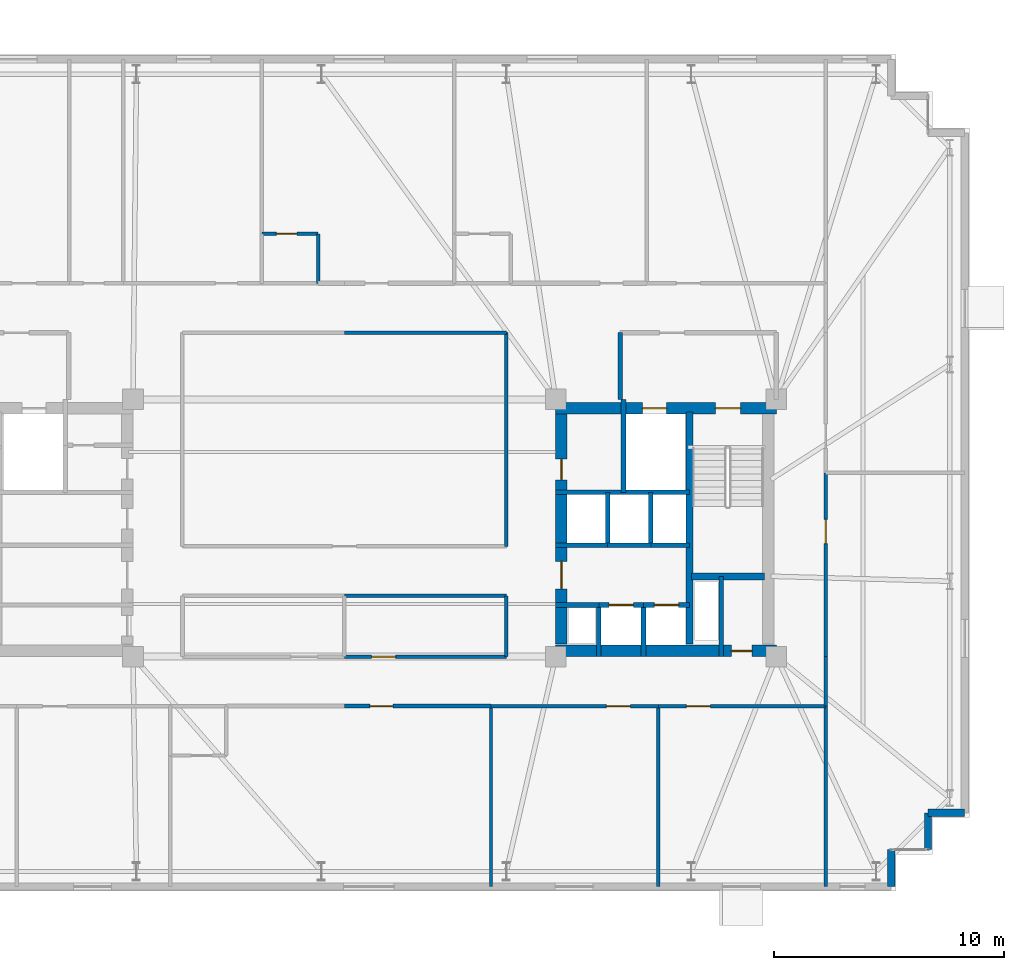
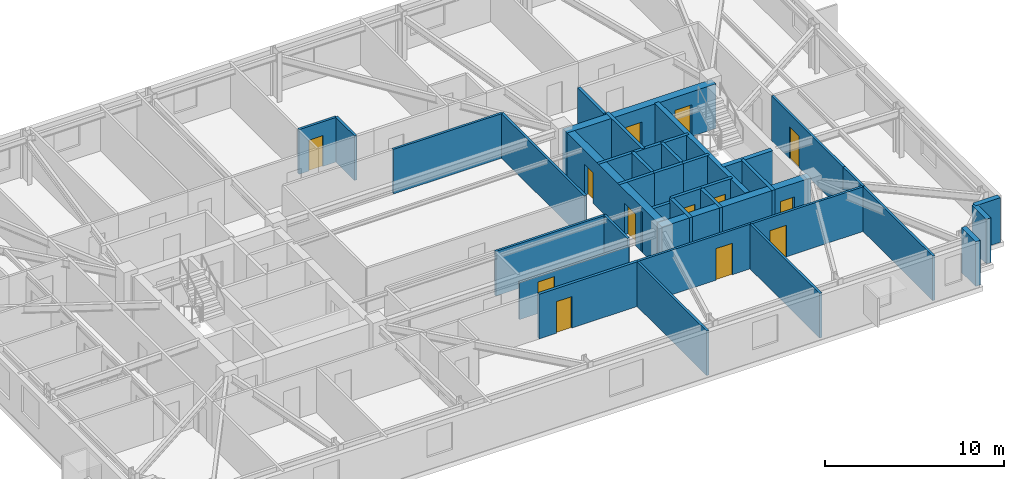
# One storey, part 13 of 17: 37 walls, 13 doors, 13 openings.
"""IFC4 building model written with IfcOpenShell, lengths in metres."""

from ifc_helpers import new_model, si_unit, direction, frame, frame_2d, origin, place, context, subcontext, project, spatial, rectangle, extrude, material, layer, layer_set, type_object, element, fill, save


model = new_model("IFC4")

# Units and contexts
model_context = context("Model", 3, precision=1e-05, world=origin(), true_north=direction((0.0, 1.0)))
body_context = subcontext(model_context, "Body", "Model", "MODEL_VIEW")
ifc_project = project(units=[si_unit("LENGTHUNIT", "METRE"), si_unit("AREAUNIT", "SQUARE_METRE"), si_unit("VOLUMEUNIT", "CUBIC_METRE"), si_unit("PLANEANGLEUNIT", "RADIAN"), si_unit("MASSUNIT", "GRAM", prefix="KILO")], contexts=[model_context])

# Site, building, storey
site_placement = place(None, origin())
site = spatial("IfcSite", under=ifc_project, at=site_placement, CompositionType="ELEMENT")
building_placement = place(site_placement, origin())
building = spatial("IfcBuilding", under=site, at=building_placement, Name="Qobustan Lattice House", CompositionType="ELEMENT")
storey_placement = place(building_placement, frame((0.0, 0.0, 164.5)))
storey = spatial("IfcBuildingStorey", under=building, at=storey_placement, Name="L46", CompositionType="ELEMENT", Elevation=164.5)

# Wall, openings, doors
ifc_material_1 = material(Name="Concrete C50/60", Category="concrete")
ifc_layer_1 = layer(ifc_material_1, 0.5)
ifc_layer_set_1 = layer_set([ifc_layer_1], Name="Concrete C50/60")
wall_type_1 = type_object("IfcWallType", Name="WAL-CORE-500", PredefinedType="SHEAR", material=ifc_layer_set_1)
wall_1_placement = place(storey_placement, frame((9.199951171875, 5.2099609375, 0.0), z_axis=(0.0, 0.0, 1.0), x_axis=(1.0, 0.0, 0.0)))
wall_1 = element("IfcWall", 1, at=wall_1_placement, inside=storey, type_object=wall_type_1, Name="L46 split-core shear wall CE-N", PredefinedType="SHEAR", context=body_context, shape_type="SweptSolid", body=[
    extrude(rectangle(XDim=9.60009765625, YDim=0.5, at=frame_2d((4.800048828125, 0.0))), origin(), (0.0, 0.0, 1.0), 3.0400390625),
])
opening_1_placement = place(wall_1_placement, frame((6.949951171875, 0.0, 0.0)))
opening_1 = element("IfcOpeningElement", 2, at=opening_1_placement, cuts=wall_1, Name="Opening SD-01", PredefinedType="OPENING", context=body_context, shape_type="SweptSolid", body=[
    extrude(rectangle(XDim=1.10009765625, YDim=2.14990234375, at=frame_2d((0.550048828125, 1.074951171875))), frame((0.0, 0.260009765625, 0.0), z_axis=(0.0, -1.0, 0.0), x_axis=(1.0, 0.0, 0.0)), (0.0, 0.0, 1.0), 0.52001953125),
])
opening_2_placement = place(wall_1_placement, frame((3.77490234375, 0.0, 0.0)))
opening_2 = element("IfcOpeningElement", 3, at=opening_2_placement, cuts=wall_1, Name="Opening LD-01", PredefinedType="OPENING", context=body_context, shape_type="SweptSolid", body=[
    extrude(rectangle(XDim=1.050048828125, YDim=2.10009765625, at=frame_2d((0.52490234375, 1.050048828125))), frame((0.0, 0.260009765625, 0.0), z_axis=(0.0, -1.0, 0.0), x_axis=(1.0, 0.0, 0.0)), (0.0, 0.0, 1.0), 0.52001953125),
])
ifc_material_2 = material(Name="Persian walnut timber and steel frame door", Category="steel")
door_type_1 = type_object("IfcDoorType", Name="DOR-LIFT-LD-1050x2100", OperationType="NOTDEFINED", PredefinedType="DOOR", material=ifc_material_2)
door_1_placement = place(opening_2_placement, origin())
door_1 = element("IfcDoor", 4, at=door_1_placement, inside=storey, type_object=door_type_1, Name="L46 firefighting lift FF-E landing door", OperationType="DOUBLE_DOOR_SLIDING", OverallHeight=2.10009765625, OverallWidth=1.050048828125, PredefinedType="DOOR", context=body_context, shape_type="SweptSolid", body=[
    extrude(rectangle(XDim=1.050048828125, YDim=2.10009765625, at=frame_2d((0.52490234375, 1.050048828125))), frame((0.0, 0.02490234375, 0.0), z_axis=(0.0, -1.0, 0.0), x_axis=(1.0, 0.0, 0.0)), (0.0, 0.0, 1.0), 0.050048828125),
])
fill(opening_2, door_1)
ifc_material_3 = material(Name="Persian walnut timber and steel frame door", Category="steel")
door_type_2 = type_object("IfcDoorType", Name="DOR-STAIR-FD-1100x2150", OperationType="NOTDEFINED", PredefinedType="DOOR", material=ifc_material_3)
door_2_placement = place(opening_1_placement, origin())
door_2 = element("IfcDoor", 5, at=door_2_placement, inside=storey, type_object=door_type_2, Name="L46 exit stair ST-E1 fire door", OperationType="SINGLE_SWING_RIGHT", OverallHeight=2.14990234375, OverallWidth=1.10009765625, PredefinedType="DOOR", context=body_context, shape_type="SweptSolid", body=[
    extrude(rectangle(XDim=1.10009765625, YDim=2.14990234375, at=frame_2d((0.550048828125, 1.074951171875))), frame((0.0, 0.02490234375, 0.0), z_axis=(0.0, -1.0, 0.0), x_axis=(1.0, 0.0, 0.0)), (0.0, 0.0, 1.0), 0.050048828125),
])
fill(opening_1, door_2)

# Wall, opening, door
wall_2_placement = place(storey_placement, frame((9.199951171875, -5.35009765625, 0.0), z_axis=(0.0, 0.0, 1.0), x_axis=(1.0, 0.0, 0.0)))
wall_2 = element("IfcWall", 6, at=wall_2_placement, inside=storey, type_object=wall_type_1, Name="L46 split-core shear wall CE-S", PredefinedType="SHEAR", context=body_context, shape_type="SweptSolid", body=[
    extrude(rectangle(XDim=9.60009765625, YDim=0.5, at=frame_2d((4.800048828125, 0.0))), origin(), (0.0, 0.0, 1.0), 3.0400390625),
])
opening_3_placement = place(wall_2_placement, frame((7.64990234375, 0.0, 0.0)))
opening_3 = element("IfcOpeningElement", 7, at=opening_3_placement, cuts=wall_2, Name="Opening RD-01", PredefinedType="OPENING", context=body_context, shape_type="SweptSolid", body=[
    extrude(rectangle(XDim=0.89990234375, YDim=2.10009765625, at=frame_2d((0.449951171875, 1.050048828125))), frame((0.0, 0.260009765625, 0.0), z_axis=(0.0, -1.0, 0.0), x_axis=(1.0, 0.0, 0.0)), (0.0, 0.0, 1.0), 0.52001953125),
])
ifc_material_4 = material(Name="Persian walnut timber and steel frame door", Category="steel")
door_type_3 = type_object("IfcDoorType", Name="DOR-RISER-FD-900x2100", OperationType="NOTDEFINED", PredefinedType="DOOR", material=ifc_material_4)
door_3_placement = place(opening_3_placement, origin())
door_3 = element("IfcDoor", 8, at=door_3_placement, inside=storey, type_object=door_type_3, Name="L46 core service riser access door E", OperationType="SINGLE_SWING_RIGHT", OverallHeight=2.10009765625, OverallWidth=0.89990234375, PredefinedType="DOOR", context=body_context, shape_type="SweptSolid", body=[
    extrude(rectangle(XDim=0.89990234375, YDim=2.10009765625, at=frame_2d((0.449951171875, 1.050048828125))), frame((0.0, 0.02490234375, 0.0), z_axis=(0.0, -1.0, 0.0), x_axis=(1.0, 0.0, 0.0)), (0.0, 0.0, 1.0), 0.050048828125),
])
fill(opening_3, door_3)

# Wall, openings, doors
wall_3_placement = place(storey_placement, frame((9.449951171875, -5.050048828125, 0.0), z_axis=(0.0, 0.0, 1.0), x_axis=(0.0, 1.0, 0.0)))
wall_3 = element("IfcWall", 9, at=wall_3_placement, inside=storey, type_object=wall_type_1, Name="L46 split-core shear wall CE-W", PredefinedType="SHEAR", context=body_context, shape_type="SweptSolid", body=[
    extrude(rectangle(XDim=10.10009765625, YDim=0.5, at=frame_2d((5.050048828125, 0.0))), origin(), (0.0, 0.0, 1.0), 3.0400390625),
])
opening_4_placement = place(wall_3_placement, frame((7.14990234375, 0.0, 0.0)))
opening_4 = element("IfcOpeningElement", 10, at=opening_4_placement, cuts=wall_3, Name="Opening RD-01", PredefinedType="OPENING", context=body_context, shape_type="SweptSolid", body=[
    extrude(rectangle(XDim=0.89990234375, YDim=2.10009765625, at=frame_2d((0.449951171875, 1.050048828125))), frame((0.0, 0.260009765625, 0.0), z_axis=(0.0, -1.0, 0.0), x_axis=(1.0, 0.0, 0.0)), (0.0, 0.0, 1.0), 0.52001953125),
])
opening_5_placement = place(wall_3_placement, frame((2.39990234375, 0.0, 0.0)))
opening_5 = element("IfcOpeningElement", 11, at=opening_5_placement, cuts=wall_3, Name="Opening FD-01", PredefinedType="OPENING", context=body_context, shape_type="SweptSolid", body=[
    extrude(rectangle(XDim=1.199951171875, YDim=2.14990234375, at=frame_2d((0.60009765625, 1.074951171875))), frame((0.0, 0.260009765625, 0.0), z_axis=(0.0, -1.0, 0.0), x_axis=(1.0, 0.0, 0.0)), (0.0, 0.0, 1.0), 0.52001953125),
])
ifc_material_5 = material(Name="Persian walnut timber and steel frame door", Category="steel")
door_type_4 = type_object("IfcDoorType", Name="DOR-LOBBY-FD-1200x2150", OperationType="NOTDEFINED", PredefinedType="DOOR", material=ifc_material_5)
door_4_placement = place(opening_5_placement, origin())
door_4 = element("IfcDoor", 12, at=door_4_placement, inside=storey, type_object=door_type_4, Name="L46 East passenger lift lobby fire door", OperationType="SINGLE_SWING_LEFT", OverallHeight=2.14990234375, OverallWidth=1.199951171875, PredefinedType="DOOR", context=body_context, shape_type="SweptSolid", body=[
    extrude(rectangle(XDim=1.199951171875, YDim=2.14990234375, at=frame_2d((0.60009765625, 1.074951171875))), frame((0.0, 0.02490234375, 0.0), z_axis=(0.0, -1.0, 0.0), x_axis=(1.0, 0.0, 0.0)), (0.0, 0.0, 1.0), 0.050048828125),
])
fill(opening_5, door_4)
door_5_placement = place(opening_4_placement, origin())
door_5 = element("IfcDoor", 13, at=door_5_placement, inside=storey, type_object=door_type_3, Name="L46 Housekeeping linen store fire door", OperationType="SINGLE_SWING_RIGHT", OverallHeight=2.10009765625, OverallWidth=0.89990234375, PredefinedType="DOOR", context=body_context, shape_type="SweptSolid", body=[
    extrude(rectangle(XDim=0.89990234375, YDim=2.10009765625, at=frame_2d((0.449951171875, 1.050048828125))), frame((0.0, 0.02490234375, 0.0), z_axis=(0.0, -1.0, 0.0), x_axis=(1.0, 0.0, 0.0)), (0.0, 0.0, 1.0), 0.050048828125),
])
fill(opening_4, door_5)

# Walls
ifc_material_6 = material(Name="Concrete C50/60", Category="concrete")
ifc_layer_2 = layer(ifc_material_6, 0.280029296875)
ifc_layer_set_2 = layer_set([ifc_layer_2], Name="Concrete C50/60")
wall_type_2 = type_object("IfcWallType", Name="WAL-CORE-SPINE-280", PredefinedType="SHEAR", material=ifc_layer_set_2)
wall_4_placement = place(storey_placement, frame((15.02001953125, -5.050048828125, 0.0), z_axis=(0.0, 0.0, 1.0), x_axis=(0.0, 1.0, 0.0)))
element("IfcWall", 14, at=wall_4_placement, inside=storey, type_object=wall_type_2, Name="L46 split-core shear wall CE-M", PredefinedType="SHEAR", context=body_context, shape_type="SweptSolid", body=[
    extrude(rectangle(XDim=10.10009765625, YDim=0.300048828125, at=frame_2d((5.050048828125, 0.0))), origin(), (0.0, 0.0, 1.0), 3.0400390625),
])
wall_5_placement = place(storey_placement, frame((15.10009765625, -2.110107421875, 0.0), z_axis=(0.0, 0.0, 1.0), x_axis=(1.0, 0.0, 0.0)))
element("IfcWall", 15, at=wall_5_placement, inside=storey, type_object=wall_type_2, Name="L46 split-core shear wall CE-ST", PredefinedType="SHEAR", context=body_context, shape_type="SweptSolid", body=[
    extrude(rectangle(XDim=3.179931640625, YDim=0.300048828125, at=frame_2d((1.58984375, 0.0))), origin(), (0.0, 0.0, 1.0), 3.0400390625),
])
ifc_material_7 = material(Name="Precast concrete C40/50", Category="concrete")
ifc_layer_3 = layer(ifc_material_7, 0.320068359375)
ifc_layer_set_3 = layer_set([ifc_layer_3], Name="Precast concrete C40/50")
wall_type_3 = type_object("IfcWallType", Name="WAL-EXT-STONE-320", PredefinedType="SOLIDWALL", material=ifc_layer_set_3)
for number, where, z_axis, x_axis, name in (
    (16, (27.0, -12.39990234375, 0.0), (0.0, 0.0, 1.0), (-1.0, 0.0, 0.0), "L46 exterior limestone-clad wall 16"),
    (17, (25.39990234375, -12.39990234375, 0.0), (0.0, 0.0, 1.0), (0.0, -1.0, 0.0), "L46 exterior limestone-clad wall 17"),
    (18, (23.800048828125, -14.0, 0.0), (0.0, 0.0, 1.0), (0.0, -1.0, 0.0), "L46 exterior limestone-clad wall 19"),
):
    element("IfcWall", number, at=place(storey_placement, frame(where, z_axis=z_axis, x_axis=x_axis)), inside=storey, type_object=wall_type_3, Name=name, PredefinedType="SOLIDWALL", context=body_context, shape_type="SweptSolid", body=[
        extrude(rectangle(XDim=1.60009765625, YDim=0.320068359375, at=frame_2d((0.800048828125, 0.0))), origin(), (0.0, 0.0, 1.0), 3.0400390625),
    ])

# Wall, opening, door
ifc_material_8 = material(Name="Gypsum fireboard acoustic partition", Category="gypsum")
ifc_layer_4 = layer(ifc_material_8, 0.179931640625)
ifc_layer_set_4 = layer_set([ifc_layer_4], Name="Gypsum fireboard acoustic partition")
wall_type_4 = type_object("IfcWallType", Name="WAL-FIRE-180", PredefinedType="PARTITIONING", material=ifc_layer_set_4)
wall_6_placement = place(storey_placement, frame((6.383056640625, -7.75, 0.0), z_axis=(0.0, 0.0, 1.0), x_axis=(-1.0, 0.0, 0.0)))
wall_6 = element("IfcWall", 19, at=wall_6_placement, inside=storey, type_object=wall_type_4, Name="L46 interior partition 53", PredefinedType="PARTITIONING", context=body_context, shape_type="SweptSolid", body=[
    extrude(rectangle(XDim=6.383056640625, YDim=0.179931640625, at=frame_2d((3.19140625, 0.0))), origin(), (0.0, 0.0, 1.0), 3.0400390625),
])
opening_6_placement = place(wall_6_placement, frame((4.275146484375, 0.0, 0.0)))
opening_6 = element("IfcOpeningElement", 20, at=opening_6_placement, cuts=wall_6, Name="Opening FD-02", PredefinedType="OPENING", context=body_context, shape_type="SweptSolid", body=[
    extrude(rectangle(XDim=1.0, YDim=2.14990234375, at=frame_2d((0.5, 1.074951171875))), frame((0.0, 0.099853515625, 0.0), z_axis=(0.0, -1.0, 0.0), x_axis=(1.0, 0.0, 0.0)), (0.0, 0.0, 1.0), 0.199951171875),
])
ifc_material_9 = material(Name="Persian walnut timber and steel frame door", Category="steel")
door_type_5 = type_object("IfcDoorType", Name="DOR-UNIT-FD-1000x2150", OperationType="NOTDEFINED", PredefinedType="DOOR", material=ifc_material_9)
door_6_placement = place(opening_6_placement, origin())
door_6 = element("IfcDoor", 21, at=door_6_placement, inside=storey, type_object=door_type_5, Name="L46 South-east floor corridor to Kitchenette and studio apartment L46-S2 door", OperationType="SINGLE_SWING_RIGHT", OverallHeight=2.14990234375, OverallWidth=1.0, PredefinedType="DOOR", context=body_context, shape_type="SweptSolid", body=[
    extrude(rectangle(XDim=1.0, YDim=2.14990234375, at=frame_2d((0.5, 1.074951171875))), frame((0.0, 0.02490234375, 0.0), z_axis=(0.0, -1.0, 0.0), x_axis=(1.0, 0.0, 0.0)), (0.0, 0.0, 1.0), 0.050048828125),
])
fill(opening_6, door_6)

# Walls
ifc_material_10 = material(Name="Acoustic twin-stud gypsum partition", Category="gypsum")
ifc_layer_5 = layer(ifc_material_10, 0.14990234375)
ifc_layer_set_5 = layer_set([ifc_layer_5], Name="Acoustic twin-stud gypsum partition")
wall_type_5 = type_object("IfcWallType", Name="WAL-PART-150", PredefinedType="PARTITIONING", material=ifc_layer_set_5)
wall_7_placement = place(storey_placement, frame((7.050048828125, 8.5, 0.0), z_axis=(0.0, 0.0, 1.0), x_axis=(-1.0, 0.0, 0.0)))
element("IfcWall", 22, at=wall_7_placement, inside=storey, type_object=wall_type_5, Name="L46 interior partition 45", PredefinedType="PARTITIONING", context=body_context, shape_type="SweptSolid", body=[
    extrude(rectangle(XDim=7.050048828125, YDim=0.14990234375, at=frame_2d((3.52490234375, 0.0))), origin(), (0.0, 0.0, 1.0), 3.0400390625),
])
wall_8_placement = place(storey_placement, frame((20.949951171875, -5.60009765625, 0.0), z_axis=(0.0, 0.0, 1.0), x_axis=(0.0, -1.0, 0.0)))
element("IfcWall", 23, at=wall_8_placement, inside=storey, type_object=wall_type_5, Name="L46 interior partition 52", PredefinedType="PARTITIONING", context=body_context, shape_type="SweptSolid", body=[
    extrude(rectangle(XDim=2.14990234375, YDim=0.14990234375, at=frame_2d((1.074951171875, 0.0))), origin(), (0.0, 0.0, 1.0), 3.0400390625),
])

# Wall, opening, door
wall_9_placement = place(storey_placement, frame((13.66650390625, -7.75, 0.0), z_axis=(0.0, 0.0, 1.0), x_axis=(-1.0, 0.0, 0.0)))
wall_9 = element("IfcWall", 24, at=wall_9_placement, inside=storey, type_object=wall_type_5, Name="L46 interior partition 54", PredefinedType="PARTITIONING", context=body_context, shape_type="SweptSolid", body=[
    extrude(rectangle(XDim=7.283447265625, YDim=0.14990234375, at=frame_2d((3.6416015625, 0.0))), origin(), (0.0, 0.0, 1.0), 3.0400390625),
])
opening_7_placement = place(wall_9_placement, frame((1.214111328125, 0.0, 0.0)))
opening_7 = element("IfcOpeningElement", 25, at=opening_7_placement, cuts=wall_9, Name="Opening ID-02", PredefinedType="OPENING", context=body_context, shape_type="SweptSolid", body=[
    extrude(rectangle(XDim=1.050048828125, YDim=2.14990234375, at=frame_2d((0.52490234375, 1.074951171875))), frame((0.0, 0.0849609375, 0.0), z_axis=(0.0, -1.0, 0.0), x_axis=(1.0, 0.0, 0.0)), (0.0, 0.0, 1.0), 0.169921875),
])
ifc_material_11 = material(Name="Persian walnut timber and steel frame door", Category="steel")
door_type_6 = type_object("IfcDoorType", Name="DOR-STUDY-1050x2150", OperationType="NOTDEFINED", PredefinedType="DOOR", material=ifc_material_11)
door_7_placement = place(opening_7_placement, origin())
door_7 = element("IfcDoor", 26, at=door_7_placement, inside=storey, type_object=door_type_6, Name="L46 South-east floor corridor to Group study room door", OperationType="SINGLE_SWING_LEFT", OverallHeight=2.14990234375, OverallWidth=1.050048828125, PredefinedType="DOOR", context=body_context, shape_type="SweptSolid", body=[
    extrude(rectangle(XDim=1.050048828125, YDim=2.14990234375, at=frame_2d((0.52490234375, 1.074951171875))), frame((0.0, 0.02490234375, 0.0), z_axis=(0.0, -1.0, 0.0), x_axis=(1.0, 0.0, 0.0)), (0.0, 0.0, 1.0), 0.050048828125),
])
fill(opening_7, door_7)

wall_10_placement = place(storey_placement, frame((20.949951171875, -7.75, 0.0), z_axis=(0.0, 0.0, 1.0), x_axis=(-1.0, 0.0, 0.0)))
wall_10 = element("IfcWall", 27, at=wall_10_placement, inside=storey, type_object=wall_type_5, Name="L46 interior partition 55", PredefinedType="PARTITIONING", context=body_context, shape_type="SweptSolid", body=[
    extrude(rectangle(XDim=7.283447265625, YDim=0.14990234375, at=frame_2d((3.6416015625, 0.0))), origin(), (0.0, 0.0, 1.0), 3.0400390625),
])
opening_8_placement = place(wall_10_placement, frame((5.019287109375, 0.0, 0.0)))
opening_8 = element("IfcOpeningElement", 28, at=opening_8_placement, cuts=wall_10, Name="Opening ID-02", PredefinedType="OPENING", context=body_context, shape_type="SweptSolid", body=[
    extrude(rectangle(XDim=1.050048828125, YDim=2.14990234375, at=frame_2d((0.52490234375, 1.074951171875))), frame((0.0, 0.0849609375, 0.0), z_axis=(0.0, -1.0, 0.0), x_axis=(1.0, 0.0, 0.0)), (0.0, 0.0, 1.0), 0.169921875),
])
door_8_placement = place(opening_8_placement, origin())
door_8 = element("IfcDoor", 29, at=door_8_placement, inside=storey, type_object=door_type_6, Name="L46 South-east floor corridor to Academic seminar room door", OperationType="SINGLE_SWING_RIGHT", OverallHeight=2.14990234375, OverallWidth=1.050048828125, PredefinedType="DOOR", context=body_context, shape_type="SweptSolid", body=[
    extrude(rectangle(XDim=1.050048828125, YDim=2.14990234375, at=frame_2d((0.52490234375, 1.074951171875))), frame((0.0, 0.02490234375, 0.0), z_axis=(0.0, -1.0, 0.0), x_axis=(1.0, 0.0, 0.0)), (0.0, 0.0, 1.0), 0.050048828125),
])
fill(opening_8, door_8)

wall_11_placement = place(storey_placement, frame((0.0, -5.60009765625, 0.0), z_axis=(0.0, 0.0, 1.0), x_axis=(1.0, 0.0, 0.0)))
wall_11 = element("IfcWall", 30, at=wall_11_placement, inside=storey, type_object=wall_type_5, Name="L46 interior partition 56", PredefinedType="PARTITIONING", context=body_context, shape_type="SweptSolid", body=[
    extrude(rectangle(XDim=7.050048828125, YDim=0.14990234375, at=frame_2d((3.52490234375, 0.0))), origin(), (0.0, 0.0, 1.0), 2.52490234375),
])
opening_9_placement = place(wall_11_placement, frame((1.18505859375, 0.0, 0.0)))
opening_9 = element("IfcOpeningElement", 31, at=opening_9_placement, cuts=wall_11, Name="Opening ID-02", PredefinedType="OPENING", context=body_context, shape_type="SweptSolid", body=[
    extrude(rectangle(XDim=1.050048828125, YDim=2.14990234375, at=frame_2d((0.52490234375, 1.074951171875))), frame((0.0, 0.0849609375, 0.0), z_axis=(0.0, -1.0, 0.0), x_axis=(1.0, 0.0, 0.0)), (0.0, 0.0, 1.0), 0.169921875),
])
door_9_placement = place(opening_9_placement, origin())
door_9 = element("IfcDoor", 32, at=door_9_placement, inside=storey, type_object=door_type_6, Name="L46 South-east floor corridor to Silent study room door", OperationType="SINGLE_SWING_LEFT", OverallHeight=2.14990234375, OverallWidth=1.050048828125, PredefinedType="DOOR", context=body_context, shape_type="SweptSolid", body=[
    extrude(rectangle(XDim=1.050048828125, YDim=2.14990234375, at=frame_2d((0.52490234375, 1.074951171875))), frame((0.0, 0.02490234375, 0.0), z_axis=(0.0, -1.0, 0.0), x_axis=(1.0, 0.0, 0.0)), (0.0, 0.0, 1.0), 0.050048828125),
])
fill(opening_9, door_9)

wall_12_placement = place(storey_placement, frame((20.949951171875, 2.39990234375, 0.0), z_axis=(0.0, 0.0, 1.0), x_axis=(0.0, -1.0, 0.0)))
wall_12 = element("IfcWall", 33, at=wall_12_placement, inside=storey, type_object=wall_type_5, Name="L46 interior partition 58", PredefinedType="PARTITIONING", context=body_context, shape_type="SweptSolid", body=[
    extrude(rectangle(XDim=8.0, YDim=0.14990234375, at=frame_2d((4.0, 0.0))), origin(), (0.0, 0.0, 1.0), 3.0400390625),
])
opening_10_placement = place(wall_12_placement, frame((2.027587890625, 0.0, 0.0)))
opening_10 = element("IfcOpeningElement", 34, at=opening_10_placement, cuts=wall_12, Name="Opening ID-02", PredefinedType="OPENING", context=body_context, shape_type="SweptSolid", body=[
    extrude(rectangle(XDim=1.050048828125, YDim=2.14990234375, at=frame_2d((0.52490234375, 1.074951171875))), frame((0.0, 0.0849609375, 0.0), z_axis=(0.0, -1.0, 0.0), x_axis=(1.0, 0.0, 0.0)), (0.0, 0.0, 1.0), 0.169921875),
])
door_10_placement = place(opening_10_placement, origin())
door_10 = element("IfcDoor", 35, at=door_10_placement, inside=storey, type_object=door_type_6, Name="L46 East wing spine gallery to Fellows reading room door", OperationType="SINGLE_SWING_LEFT", OverallHeight=2.14990234375, OverallWidth=1.050048828125, PredefinedType="DOOR", context=body_context, shape_type="SweptSolid", body=[
    extrude(rectangle(XDim=1.050048828125, YDim=2.14990234375, at=frame_2d((0.52490234375, 1.074951171875))), frame((0.0, 0.02490234375, 0.0), z_axis=(0.0, -1.0, 0.0), x_axis=(1.0, 0.0, 0.0)), (0.0, 0.0, 1.0), 0.050048828125),
])
fill(opening_10, door_10)

# Walls
wall_13_placement = place(storey_placement, frame((7.050048828125, -2.949951171875, 0.0), z_axis=(0.0, 0.0, 1.0), x_axis=(-1.0, 0.0, 0.0)))
element("IfcWall", 36, at=wall_13_placement, inside=storey, type_object=wall_type_5, Name="L46 interior partition 62", PredefinedType="PARTITIONING", context=body_context, shape_type="SweptSolid", body=[
    extrude(rectangle(XDim=7.050048828125, YDim=0.14990234375, at=frame_2d((3.52490234375, 0.0))), origin(), (0.0, 0.0, 1.0), 3.0400390625),
])
wall_14_placement = place(storey_placement, frame((7.050048828125, -0.800048828125, 0.0), z_axis=(0.0, 0.0, 1.0), x_axis=(0.0, 1.0, 0.0)))
element("IfcWall", 37, at=wall_14_placement, inside=storey, type_object=wall_type_5, Name="L46 interior partition 65", PredefinedType="PARTITIONING", context=body_context, shape_type="SweptSolid", body=[
    extrude(rectangle(XDim=9.300048828125, YDim=0.14990234375, at=frame_2d((4.64990234375, 0.0))), origin(), (0.0, 0.0, 1.0), 3.0400390625),
])
wall_15_placement = place(storey_placement, frame((7.050048828125, -5.60009765625, 0.0), z_axis=(0.0, 0.0, 1.0), x_axis=(0.0, 1.0, 0.0)))
element("IfcWall", 38, at=wall_15_placement, inside=storey, type_object=wall_type_5, Name="L46 interior partition 66", PredefinedType="PARTITIONING", context=body_context, shape_type="SweptSolid", body=[
    extrude(rectangle(XDim=2.650146484375, YDim=0.14990234375, at=frame_2d((1.3251953125, 0.0))), origin(), (0.0, 0.0, 1.0), 3.0400390625),
])
for number, where, z_axis, x_axis, name in (
    (39, (20.949951171875, -15.60009765625, 0.0), (0.0, 0.0, 1.0), (0.0, 1.0, 0.0), "L46 interior partition 85"),
    (40, (6.383056640625, -7.75, 0.0), (0.0, 0.0, 1.0), (0.0, -1.0, 0.0), "L46 interior partition 104"),
    (41, (13.66650390625, -7.75, 0.0), (0.0, 0.0, 1.0), (0.0, -1.0, 0.0), "L46 interior partition 105"),
):
    element("IfcWall", number, at=place(storey_placement, frame(where, z_axis=z_axis, x_axis=x_axis)), inside=storey, type_object=wall_type_5, Name=name, PredefinedType="PARTITIONING", context=body_context, shape_type="SweptSolid", body=[
        extrude(rectangle(XDim=7.85009765625, YDim=0.14990234375, at=frame_2d((3.925048828125, 0.0))), origin(), (0.0, 0.0, 1.0), 3.0400390625),
    ])
ifc_material_12 = material(Name="Two-hour gypsum fireboard acoustic partition", Category="gypsum")
ifc_layer_6 = layer(ifc_material_12, 0.199951171875)
ifc_layer_set_6 = layer_set([ifc_layer_6], Name="Two-hour gypsum fireboard acoustic partition")
wall_type_6 = type_object("IfcWallType", Name="WAL-PROT-200", PredefinedType="PARTITIONING", material=ifc_layer_set_6)
wall_16_placement = place(storey_placement, frame((12.0, 8.5, 0.0), z_axis=(0.0, 0.0, 1.0), x_axis=(0.0, -1.0, 0.0)))
element("IfcWall", 42, at=wall_16_placement, inside=storey, type_object=wall_type_6, Name="L46 interior partition 19", PredefinedType="PARTITIONING", context=body_context, shape_type="SweptSolid", body=[
    extrude(rectangle(XDim=2.89990234375, YDim=0.199951171875, at=frame_2d((1.449951171875, 0.0))), origin(), (0.0, 0.0, 1.0), 3.0400390625),
])
ifc_material_13 = material(Name="Concrete C40/50", Category="concrete")
ifc_layer_7 = layer(ifc_material_13, 0.199951171875)
ifc_layer_set_7 = layer_set([ifc_layer_7], Name="Concrete C40/50")
wall_type_7 = type_object("IfcWallType", Name="WAL-SHAFT-200", PredefinedType="PARTITIONING", material=ifc_layer_set_7)
wall_17_placement = place(storey_placement, frame((16.39990234375, -2.110107421875, 0.0), z_axis=(0.0, 0.0, 1.0), x_axis=(0.0, -1.0, 0.0)))
element("IfcWall", 43, at=wall_17_placement, inside=storey, type_object=wall_type_7, Name="L46 interior partition 15", PredefinedType="PARTITIONING", context=body_context, shape_type="SweptSolid", body=[
    extrude(rectangle(XDim=3.489990234375, YDim=0.199951171875, at=frame_2d((1.7451171875, 0.0))), origin(), (0.0, 0.0, 1.0), 3.0400390625),
])
wall_18_placement = place(storey_placement, frame((12.14990234375, 5.60009765625, 0.0), z_axis=(0.0, 0.0, 1.0), x_axis=(0.0, -1.0, 0.0)))
element("IfcWall", 44, at=wall_18_placement, inside=storey, type_object=wall_type_7, Name="L46 interior partition 16", PredefinedType="PARTITIONING", context=body_context, shape_type="SweptSolid", body=[
    extrude(rectangle(XDim=4.050048828125, YDim=0.199951171875, at=frame_2d((2.02490234375, 0.0))), origin(), (0.0, 0.0, 1.0), 3.0400390625),
])
wall_19_placement = place(storey_placement, frame((9.199951171875, -3.35009765625, 0.0), z_axis=(0.0, 0.0, 1.0), x_axis=(1.0, 0.0, 0.0)))
element("IfcWall", 45, at=wall_19_placement, inside=storey, type_object=wall_type_7, Name="L46 interior partition 21", PredefinedType="PARTITIONING", context=body_context, shape_type="SweptSolid", body=[
    extrude(rectangle(XDim=1.880126953125, YDim=0.199951171875, at=frame_2d((0.93994140625, 0.0))), origin(), (0.0, 0.0, 1.0), 2.7548828125),
])

# Wall, opening, door
wall_20_placement = place(storey_placement, frame((11.080078125, -3.35009765625, 0.0), z_axis=(0.0, 0.0, 1.0), x_axis=(1.0, 0.0, 0.0)))
wall_20 = element("IfcWall", 46, at=wall_20_placement, inside=storey, type_object=wall_type_7, Name="L46 interior partition 22", PredefinedType="PARTITIONING", context=body_context, shape_type="SweptSolid", body=[
    extrude(rectangle(XDim=1.93994140625, YDim=0.199951171875, at=frame_2d((0.969970703125, 0.0))), origin(), (0.0, 0.0, 1.0), 3.0400390625),
])
opening_11_placement = place(wall_20_placement, frame((0.445068359375, 0.0, 0.0)))
opening_11 = element("IfcOpeningElement", 47, at=opening_11_placement, cuts=wall_20, Name="Opening LD-01", PredefinedType="OPENING", context=body_context, shape_type="SweptSolid", body=[
    extrude(rectangle(XDim=1.050048828125, YDim=2.10009765625, at=frame_2d((0.52490234375, 1.050048828125))), frame((0.0, 0.10986328125, 0.0), z_axis=(0.0, -1.0, 0.0), x_axis=(1.0, 0.0, 0.0)), (0.0, 0.0, 1.0), 0.219970703125),
])
door_11_placement = place(opening_11_placement, origin())
door_11 = element("IfcDoor", 48, at=door_11_placement, inside=storey, type_object=door_type_1, Name="L46 lift landing door", OperationType="DOUBLE_DOOR_SLIDING", OverallHeight=2.10009765625, OverallWidth=1.050048828125, PredefinedType="DOOR", context=body_context, shape_type="SweptSolid", body=[
    extrude(rectangle(XDim=1.050048828125, YDim=2.10009765625, at=frame_2d((0.52490234375, 1.050048828125))), frame((0.0, 0.02490234375, 0.0), z_axis=(0.0, -1.0, 0.0), x_axis=(1.0, 0.0, 0.0)), (0.0, 0.0, 1.0), 0.050048828125),
])
fill(opening_11, door_11)

wall_21_placement = place(storey_placement, frame((13.02001953125, -3.35009765625, 0.0), z_axis=(0.0, 0.0, 1.0), x_axis=(1.0, 0.0, 0.0)))
wall_21 = element("IfcWall", 49, at=wall_21_placement, inside=storey, type_object=wall_type_7, Name="L46 interior partition 23", PredefinedType="PARTITIONING", context=body_context, shape_type="SweptSolid", body=[
    extrude(rectangle(XDim=2.0, YDim=0.199951171875, at=frame_2d((1.0, 0.0))), origin(), (0.0, 0.0, 1.0), 3.0400390625),
])
opening_12_placement = place(wall_21_placement, frame((0.47509765625, 0.0, 0.0)))
opening_12 = element("IfcOpeningElement", 50, at=opening_12_placement, cuts=wall_21, Name="Opening LD-01", PredefinedType="OPENING", context=body_context, shape_type="SweptSolid", body=[
    extrude(rectangle(XDim=1.050048828125, YDim=2.10009765625, at=frame_2d((0.52490234375, 1.050048828125))), frame((0.0, 0.10986328125, 0.0), z_axis=(0.0, -1.0, 0.0), x_axis=(1.0, 0.0, 0.0)), (0.0, 0.0, 1.0), 0.219970703125),
])
door_12_placement = place(opening_12_placement, origin())
door_12 = element("IfcDoor", 51, at=door_12_placement, inside=storey, type_object=door_type_1, Name="L46 lift landing door", OperationType="DOUBLE_DOOR_SLIDING", OverallHeight=2.10009765625, OverallWidth=1.050048828125, PredefinedType="DOOR", context=body_context, shape_type="SweptSolid", body=[
    extrude(rectangle(XDim=1.050048828125, YDim=2.10009765625, at=frame_2d((0.52490234375, 1.050048828125))), frame((0.0, 0.02490234375, 0.0), z_axis=(0.0, -1.0, 0.0), x_axis=(1.0, 0.0, 0.0)), (0.0, 0.0, 1.0), 0.050048828125),
])
fill(opening_12, door_12)

# Walls
wall_22_placement = place(storey_placement, frame((11.4599609375, -0.75, 0.0), z_axis=(0.0, 0.0, 1.0), x_axis=(-1.0, 0.0, 0.0)))
element("IfcWall", 52, at=wall_22_placement, inside=storey, type_object=wall_type_7, Name="L46 interior partition 24", PredefinedType="PARTITIONING", context=body_context, shape_type="SweptSolid", body=[
    extrude(rectangle(XDim=2.260009765625, YDim=0.199951171875, at=frame_2d((1.1298828125, 0.0))), origin(), (0.0, 0.0, 1.0), 3.0400390625),
])
wall_23_placement = place(storey_placement, frame((13.340087890625, -0.75, 0.0), z_axis=(0.0, 0.0, 1.0), x_axis=(-1.0, 0.0, 0.0)))
element("IfcWall", 53, at=wall_23_placement, inside=storey, type_object=wall_type_7, Name="L46 interior partition 25", PredefinedType="PARTITIONING", context=body_context, shape_type="SweptSolid", body=[
    extrude(rectangle(XDim=1.880126953125, YDim=0.199951171875, at=frame_2d((0.93994140625, 0.0))), origin(), (0.0, 0.0, 1.0), 3.0400390625),
])
wall_24_placement = place(storey_placement, frame((15.02001953125, -0.75, 0.0), z_axis=(0.0, 0.0, 1.0), x_axis=(-1.0, 0.0, 0.0)))
element("IfcWall", 54, at=wall_24_placement, inside=storey, type_object=wall_type_7, Name="L46 interior partition 26", PredefinedType="PARTITIONING", context=body_context, shape_type="SweptSolid", body=[
    extrude(rectangle(XDim=1.679931640625, YDim=0.199951171875, at=frame_2d((0.83984375, 0.0))), origin(), (0.0, 0.0, 1.0), 3.0400390625),
])
for number, where, z_axis, x_axis, name in (
    (55, (11.080078125, -5.60009765625, 0.0), (0.0, 0.0, 1.0), (0.0, 1.0, 0.0), "L46 interior partition 28"),
    (56, (13.02001953125, -5.60009765625, 0.0), (0.0, 0.0, 1.0), (0.0, 1.0, 0.0), "L46 interior partition 29"),
):
    element("IfcWall", number, at=place(storey_placement, frame(where, z_axis=z_axis, x_axis=x_axis)), inside=storey, type_object=wall_type_7, Name=name, PredefinedType="PARTITIONING", context=body_context, shape_type="SweptSolid", body=[
        extrude(rectangle(XDim=2.25, YDim=0.199951171875, at=frame_2d((1.125, 0.0))), origin(), (0.0, 0.0, 1.0), 3.0400390625),
    ])
for number, where, z_axis, x_axis, name in (
    (57, (11.4599609375, -0.75, 0.0), (0.0, 0.0, 1.0), (0.0, 1.0, 0.0), "L46 interior partition 30"),
    (58, (13.340087890625, -0.75, 0.0), (0.0, 0.0, 1.0), (0.0, 1.0, 0.0), "L46 interior partition 31"),
):
    element("IfcWall", number, at=place(storey_placement, frame(where, z_axis=z_axis, x_axis=x_axis)), inside=storey, type_object=wall_type_7, Name=name, PredefinedType="PARTITIONING", context=body_context, shape_type="SweptSolid", body=[
        extrude(rectangle(XDim=2.300048828125, YDim=0.199951171875, at=frame_2d((1.14990234375, 0.0))), origin(), (0.0, 0.0, 1.0), 3.0400390625),
    ])
wall_25_placement = place(storey_placement, frame((9.199951171875, 1.550048828125, 0.0), z_axis=(0.0, 0.0, 1.0), x_axis=(1.0, 0.0, 0.0)))
element("IfcWall", 59, at=wall_25_placement, inside=storey, type_object=wall_type_7, Name="L46 interior partition 108", PredefinedType="PARTITIONING", context=body_context, shape_type="SweptSolid", body=[
    extrude(rectangle(XDim=5.820068359375, YDim=0.199951171875, at=frame_2d((2.91015625, 0.0))), origin(), (0.0, 0.0, 1.0), 3.0400390625),
])

# Wall, opening, door
ifc_material_14 = material(Name="Moisture-resistant acoustic plumbing wall", Category="gypsum")
ifc_layer_8 = layer(ifc_material_14, 0.14990234375)
ifc_layer_set_8 = layer_set([ifc_layer_8], Name="Moisture-resistant acoustic plumbing wall")
wall_type_8 = type_object("IfcWallType", Name="WAL-WET-150", PredefinedType="PLUMBINGWALL", material=ifc_layer_set_8)
wall_26_placement = place(storey_placement, frame((-1.139892578125, 12.800048828125, 0.0), z_axis=(0.0, 0.0, 1.0), x_axis=(-1.0, 0.0, 0.0)))
wall_26 = element("IfcWall", 60, at=wall_26_placement, inside=storey, type_object=wall_type_8, Name="L46 interior partition 92", PredefinedType="PLUMBINGWALL", context=body_context, shape_type="SweptSolid", body=[
    extrude(rectangle(XDim=2.4501953125, YDim=0.14990234375, at=frame_2d((1.22509765625, 0.0))), origin(), (0.0, 0.0, 1.0), 3.0400390625),
])
opening_13_placement = place(wall_26_placement, frame((0.92138671875, 0.0, 0.0)))
opening_13 = element("IfcOpeningElement", 61, at=opening_13_placement, cuts=wall_26, Name="Opening WD-01", PredefinedType="OPENING", context=body_context, shape_type="SweptSolid", body=[
    extrude(rectangle(XDim=0.89990234375, YDim=2.10009765625, at=frame_2d((0.449951171875, 1.050048828125))), frame((0.0, 0.0849609375, 0.0), z_axis=(0.0, -1.0, 0.0), x_axis=(1.0, 0.0, 0.0)), (0.0, 0.0, 1.0), 0.169921875),
])
ifc_material_15 = material(Name="Persian walnut timber and steel frame door", Category="steel")
door_type_7 = type_object("IfcDoorType", Name="DOR-WET-900x2100", OperationType="NOTDEFINED", PredefinedType="DOOR", material=ifc_material_15)
door_13_placement = place(opening_13_placement, origin())
door_13 = element("IfcDoor", 62, at=door_13_placement, inside=storey, type_object=door_type_7, Name="L46 Kitchenette and studio apartment L46-N3 to En-suite bathroom L46-N3 door", OperationType="SINGLE_SWING_RIGHT", OverallHeight=2.10009765625, OverallWidth=0.89990234375, PredefinedType="DOOR", context=body_context, shape_type="SweptSolid", body=[
    extrude(rectangle(XDim=0.89990234375, YDim=2.10009765625, at=frame_2d((0.449951171875, 1.050048828125))), frame((0.0, 0.02490234375, 0.0), z_axis=(0.0, -1.0, 0.0), x_axis=(1.0, 0.0, 0.0)), (0.0, 0.0, 1.0), 0.050048828125),
])
fill(opening_13, door_13)

# Wall
wall_27_placement = place(storey_placement, frame((-1.139892578125, 10.64990234375, 0.0), z_axis=(0.0, 0.0, 1.0), x_axis=(0.0, 1.0, 0.0)))
element("IfcWall", 63, at=wall_27_placement, inside=storey, type_object=wall_type_8, Name="L46 interior partition 93", PredefinedType="PLUMBINGWALL", context=body_context, shape_type="SweptSolid", body=[
    extrude(rectangle(XDim=2.150146484375, YDim=0.14990234375, at=frame_2d((1.0751953125, 0.0))), origin(), (0.0, 0.0, 1.0), 3.0400390625),
])

save(model, "model.ifc")
